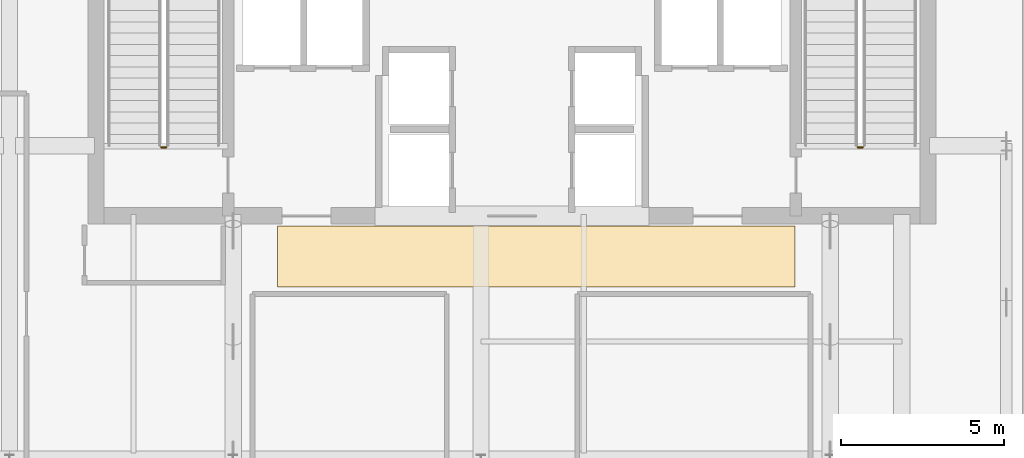
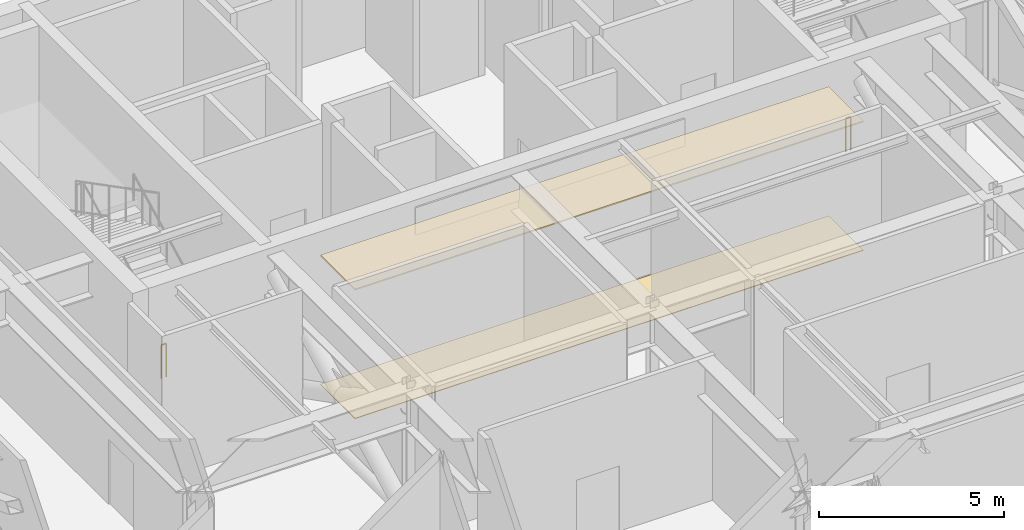
# One storey, part 11 of 13: 2 coverings, 2 railings.
"""IFC4 building model written with IfcOpenShell, lengths in metres."""

from ifc_helpers import new_model, si_unit, direction, frame, origin, origin_2d, place, context, subcontext, project, spatial, polyline, circle, outline, extrude, material, layer, layer_set, type_object, element, save


model = new_model("IFC4")

# Units and contexts
model_context = context("Model", 3, precision=1e-05, world=origin(), true_north=direction((0.0, 1.0)))
body_context = subcontext(model_context, "Body", "Model", "MODEL_VIEW")
ifc_project = project(units=[si_unit("LENGTHUNIT", "METRE"), si_unit("AREAUNIT", "SQUARE_METRE"), si_unit("VOLUMEUNIT", "CUBIC_METRE"), si_unit("PLANEANGLEUNIT", "RADIAN"), si_unit("MASSUNIT", "GRAM", prefix="KILO")], contexts=[model_context])

# Site, building, storey
site_placement = place(None, origin())
site = spatial("IfcSite", under=ifc_project, at=site_placement, CompositionType="ELEMENT")
building_placement = place(site_placement, origin())
building = spatial("IfcBuilding", under=site, at=building_placement, Name="Tolvann Quenvar Hotel", CompositionType="ELEMENT")
storey_placement = place(building_placement, frame((0.0, 0.0, 270.050048828125)))
storey = spatial("IfcBuildingStorey", under=building, at=storey_placement, Name="L72", CompositionType="ELEMENT", Elevation=270.050048828125)

# Coverings
ifc_material_1 = material(Name="Micro-perforated acoustic mineral-fibre and timber-batten suspended ceiling", Category="wood")
ifc_layer_1 = layer(ifc_material_1, 0.0400390625)
ifc_layer_set_1 = layer_set([ifc_layer_1], Name="Micro-perforated acoustic mineral-fibre and timber-batten suspended ceiling")
covering_type_1 = type_object("IfcCoveringType", Name="COV_CEIL_ACOUSTIC_40", PredefinedType="CEILING", material=ifc_layer_set_1)
covering_1_placement = place(storey_placement, frame((0.0, 0.0, 4.239990234375)))
element("IfcCovering", 1, at=covering_1_placement, inside=storey, type_object=covering_type_1, Name="Suspended Acoustic Ceiling (Plant Core Stair Vestibule L72)", PredefinedType="CEILING", context=body_context, shape_type="SweptSolid", body=[
    extrude(outline(polyline([(15.820068359375, 29.669921875), (31.679931640625, 29.669921875), (31.679931640625, 31.5400390625), (15.820068359375, 31.5400390625), (15.820068359375, 29.669921875)])), origin(), (0.0, 0.0, 1.0), 0.0400390625),
])
ifc_material_2 = material(Name="Honed Australian bluestone, terrazzo and engineered oak flooring", Category="masonry")
ifc_layer_2 = layer(ifc_material_2, 0.02001953125)
ifc_layer_set_2 = layer_set([ifc_layer_2], Name="Honed Australian bluestone, terrazzo and engineered oak flooring")
covering_type_2 = type_object("IfcCoveringType", Name="COV_FLOOR_STONE_20", PredefinedType="FLOORING", material=ifc_layer_set_2)
covering_2_placement = place(storey_placement, origin())
element("IfcCovering", 2, at=covering_2_placement, inside=storey, type_object=covering_type_2, Name="Architectural Floor Finish (Plant Core Stair Vestibule L72)", PredefinedType="FLOORING", context=body_context, shape_type="SweptSolid", body=[
    extrude(outline(polyline([(15.820068359375, 29.669921875), (31.679931640625, 29.669921875), (31.679931640625, 31.5400390625), (15.820068359375, 31.5400390625), (15.820068359375, 29.669921875)])), origin(), (0.0, 0.0, 1.0), 0.02001953125),
])

# Railings
ifc_material_3 = material(Name="Brushed 316 stainless steel balustrade and handrail", Category="steel")
railing_type = type_object("IfcRailingType", Name="GUARDRAIL", PredefinedType="GUARDRAIL", material=ifc_material_3)
for number, where, name in (
    (3, (12.39990234375, 33.949951171875, 0.0), "L72 ST-C1 stair guard 4"),
    (4, (33.75, 33.949951171875, 0.0), "L72 ST-C2 stair guard 4"),
):
    element("IfcRailing", number, at=place(storey_placement, frame(where)), inside=storey, type_object=railing_type, Name=name, PredefinedType="GUARDRAIL", context=body_context, shape_type="SweptSolid", body=[
        extrude(circle(Radius=0.02392578125, at=origin_2d()), frame((0.0, 0.0, 1.09619140625), z_axis=(-1.0, 0.0, 0.0), x_axis=(0.0, -1.0, 0.0)), (0.0, 0.0, 1.0), 0.14990234375),
        extrude(circle(Radius=0.02099609375, at=origin_2d()), origin(), (0.0, 0.0, 1.0), 1.072021484375),
        extrude(circle(Radius=0.02099609375, at=origin_2d()), frame((-0.14990234375, 0.0, 0.0)), (0.0, 0.0, 1.0), 1.072021484375),
    ])

save(model, "model.ifc")
